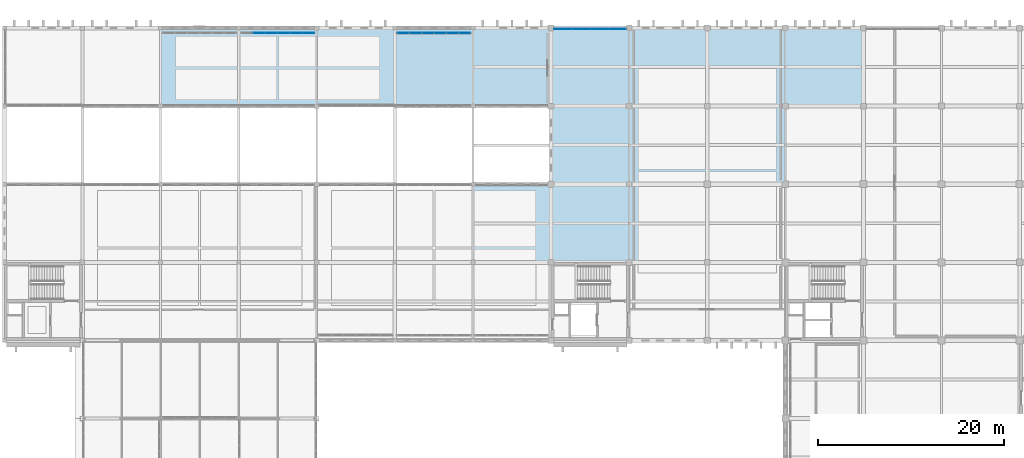
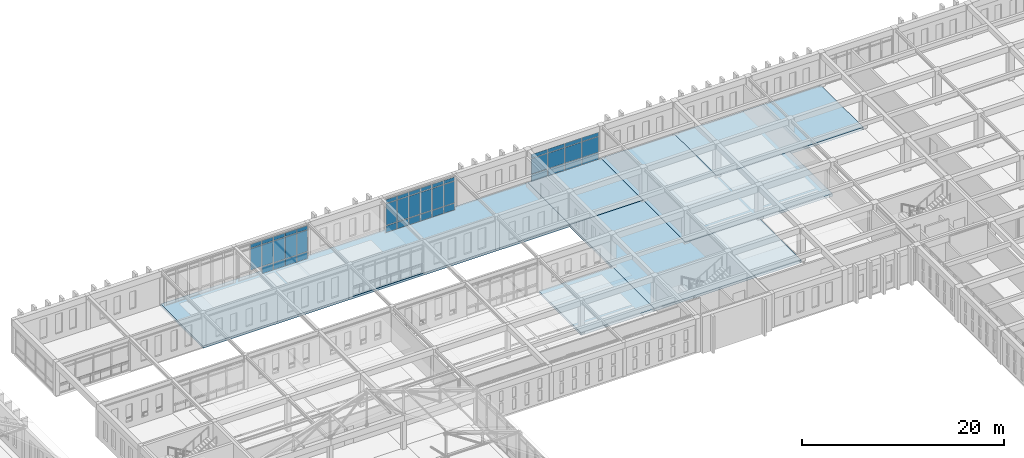
# One storey, part 127 of 192: 44 plates, 6 slabs, 3 elements without a shape of their own.
"""IFC4 building model written with IfcOpenShell, lengths in metres."""

from ifc_helpers import new_model, si_unit, direction, frame, origin, origin_2d, place, context, subcontext, project, spatial, polyline, rectangle, outline, extrude, material, layer, layer_set, type_object, element, aggregate, save


model = new_model("IFC4")

# Units and contexts
model_context = context("Model", 3, precision=1e-05, world=origin(), true_north=direction((0.0, 1.0)))
body_context = subcontext(model_context, "Body", "Model", "MODEL_VIEW")
ifc_project = project(units=[si_unit("LENGTHUNIT", "METRE"), si_unit("AREAUNIT", "SQUARE_METRE"), si_unit("VOLUMEUNIT", "CUBIC_METRE"), si_unit("PLANEANGLEUNIT", "RADIAN"), si_unit("MASSUNIT", "GRAM", prefix="KILO")], contexts=[model_context])

# Site, building, storey
site_placement = place(None, origin())
site = spatial("IfcSite", under=ifc_project, at=site_placement, CompositionType="ELEMENT")
building_placement = place(site_placement, origin())
building = spatial("IfcBuilding", under=site, at=building_placement, Name="Kveldsbrygga Polytechnic", CompositionType="ELEMENT")
storey_placement = place(building_placement, frame((0.0, 0.0, 5.43994140625)))
storey = spatial("IfcBuildingStorey", under=building, at=storey_placement, Name="L01", CompositionType="ELEMENT", Elevation=5.43994140625)

# Curtain wall, plates
ifc_material_1 = material(Name="Anodised aluminium AW-6060", Category="aluminium")
ifc_layer_1 = layer(ifc_material_1, 0.179931640625)
ifc_layer_set_1 = layer_set([ifc_layer_1], Name="Anodised aluminium AW-6060")
curtain_wall_type_1 = type_object("IfcCurtainWallType", Name="CW-CONC-A", PredefinedType="USERDEFINED", material=ifc_layer_set_1)
curtain_wall_1_placement = place(storey_placement, origin())
curtain_wall_1 = element("IfcCurtainWall", 1, at=curtain_wall_1_placement, inside=storey, type_object=curtain_wall_type_1, Name="Curtain Wall CW-L01-X-08-14", ObjectType="UNITISED CURTAIN WALL", PredefinedType="USERDEFINED")
ifc_material_2 = material(Name="Insulated triple low-E glass", Category="glass")
ifc_layer_2 = layer(ifc_material_2, 0.035888671875)
ifc_layer_set_2 = layer_set([ifc_layer_2], Name="Insulated triple low-E glass")
plate_type_1 = type_object("IfcPlateType", Name="CW-PAN-VIS36", PredefinedType="CURTAIN_PANEL", material=ifc_layer_set_2)
plate_1_placement = place(storey_placement, frame((69.4013671875, 117.050048828125, 0.93017578125), z_axis=(0.0, 0.0, 1.0), x_axis=(1.0, 0.0, 0.0)))
plate_1 = element("IfcPlate", 2, at=plate_1_placement, type_object=plate_type_1, Name="CW-01 panel 2.2", PredefinedType="CURTAIN_PANEL", context=body_context, shape_type="SweptSolid", body=[
    extrude(rectangle(XDim=1.267578125, YDim=0.035888671875, at=origin_2d()), origin(), (0.0, 0.0, 1.0), 2.610107421875),
])
plate_2_placement = place(storey_placement, frame((69.4013671875, 117.050048828125, 3.60009765625), z_axis=(0.0, 0.0, 1.0), x_axis=(1.0, 0.0, 0.0)))
plate_2 = element("IfcPlate", 3, at=plate_2_placement, type_object=plate_type_1, Name="CW-01 panel 2.3", PredefinedType="CURTAIN_PANEL", context=body_context, shape_type="SweptSolid", body=[
    extrude(rectangle(XDim=1.267578125, YDim=0.035888671875, at=origin_2d()), origin(), (0.0, 0.0, 1.0), 0.4599609375),
])
plate_3_placement = place(storey_placement, frame((70.728759765625, 117.050048828125, 0.06005859375), z_axis=(0.0, 0.0, 1.0), x_axis=(1.0, 0.0, 0.0)))
plate_3 = element("IfcPlate", 4, at=plate_3_placement, type_object=plate_type_1, Name="CW-01 panel 3.1", PredefinedType="CURTAIN_PANEL", context=body_context, shape_type="SweptSolid", body=[
    extrude(rectangle(XDim=1.267578125, YDim=0.035888671875, at=origin_2d()), origin(), (0.0, 0.0, 1.0), 0.81005859375),
])
plate_4_placement = place(storey_placement, frame((70.728759765625, 117.050048828125, 0.93017578125), z_axis=(0.0, 0.0, 1.0), x_axis=(1.0, 0.0, 0.0)))
plate_4 = element("IfcPlate", 5, at=plate_4_placement, type_object=plate_type_1, Name="CW-01 panel 3.2", PredefinedType="CURTAIN_PANEL", context=body_context, shape_type="SweptSolid", body=[
    extrude(rectangle(XDim=1.267578125, YDim=0.035888671875, at=origin_2d()), origin(), (0.0, 0.0, 1.0), 2.610107421875),
])
plate_5_placement = place(storey_placement, frame((70.728759765625, 117.050048828125, 3.60009765625), z_axis=(0.0, 0.0, 1.0), x_axis=(1.0, 0.0, 0.0)))
plate_5 = element("IfcPlate", 6, at=plate_5_placement, type_object=plate_type_1, Name="CW-01 panel 3.3", PredefinedType="CURTAIN_PANEL", context=body_context, shape_type="SweptSolid", body=[
    extrude(rectangle(XDim=1.267578125, YDim=0.035888671875, at=origin_2d()), origin(), (0.0, 0.0, 1.0), 0.4599609375),
])
plate_6_placement = place(storey_placement, frame((72.05615234375, 117.050048828125, 0.06005859375), z_axis=(0.0, 0.0, 1.0), x_axis=(1.0, 0.0, 0.0)))
plate_6 = element("IfcPlate", 7, at=plate_6_placement, type_object=plate_type_1, Name="CW-01 panel 4.1", PredefinedType="CURTAIN_PANEL", context=body_context, shape_type="SweptSolid", body=[
    extrude(rectangle(XDim=1.267578125, YDim=0.035888671875, at=origin_2d()), origin(), (0.0, 0.0, 1.0), 0.81005859375),
])
plate_7_placement = place(storey_placement, frame((72.05615234375, 117.050048828125, 0.93017578125), z_axis=(0.0, 0.0, 1.0), x_axis=(1.0, 0.0, 0.0)))
plate_7 = element("IfcPlate", 8, at=plate_7_placement, type_object=plate_type_1, Name="CW-01 panel 4.2", PredefinedType="CURTAIN_PANEL", context=body_context, shape_type="SweptSolid", body=[
    extrude(rectangle(XDim=1.267578125, YDim=0.035888671875, at=origin_2d()), origin(), (0.0, 0.0, 1.0), 2.610107421875),
])
plate_8_placement = place(storey_placement, frame((72.05615234375, 117.050048828125, 3.60009765625), z_axis=(0.0, 0.0, 1.0), x_axis=(1.0, 0.0, 0.0)))
plate_8 = element("IfcPlate", 9, at=plate_8_placement, type_object=plate_type_1, Name="CW-01 panel 4.3", PredefinedType="CURTAIN_PANEL", context=body_context, shape_type="SweptSolid", body=[
    extrude(rectangle(XDim=1.267578125, YDim=0.035888671875, at=origin_2d()), origin(), (0.0, 0.0, 1.0), 0.4599609375),
])
plate_9_placement = place(storey_placement, frame((73.3837890625, 117.050048828125, 0.06005859375), z_axis=(0.0, 0.0, 1.0), x_axis=(1.0, 0.0, 0.0)))
plate_9 = element("IfcPlate", 10, at=plate_9_placement, type_object=plate_type_1, Name="CW-01 panel 5.1", PredefinedType="CURTAIN_PANEL", context=body_context, shape_type="SweptSolid", body=[
    extrude(rectangle(XDim=1.267578125, YDim=0.035888671875, at=origin_2d()), origin(), (0.0, 0.0, 1.0), 0.81005859375),
])
plate_10_placement = place(storey_placement, frame((73.3837890625, 117.050048828125, 0.93017578125), z_axis=(0.0, 0.0, 1.0), x_axis=(1.0, 0.0, 0.0)))
plate_10 = element("IfcPlate", 11, at=plate_10_placement, type_object=plate_type_1, Name="CW-01 panel 5.2", PredefinedType="CURTAIN_PANEL", context=body_context, shape_type="SweptSolid", body=[
    extrude(rectangle(XDim=1.267578125, YDim=0.035888671875, at=origin_2d()), origin(), (0.0, 0.0, 1.0), 2.610107421875),
])
plate_11_placement = place(storey_placement, frame((73.3837890625, 117.050048828125, 3.60009765625), z_axis=(0.0, 0.0, 1.0), x_axis=(1.0, 0.0, 0.0)))
plate_11 = element("IfcPlate", 12, at=plate_11_placement, type_object=plate_type_1, Name="CW-01 panel 5.3", PredefinedType="CURTAIN_PANEL", context=body_context, shape_type="SweptSolid", body=[
    extrude(rectangle(XDim=1.267578125, YDim=0.035888671875, at=origin_2d()), origin(), (0.0, 0.0, 1.0), 0.4599609375),
])
plate_12_placement = place(storey_placement, frame((74.6962890625, 117.050048828125, 0.06005859375), z_axis=(0.0, 0.0, 1.0), x_axis=(1.0, 0.0, 0.0)))
plate_12 = element("IfcPlate", 13, at=plate_12_placement, type_object=plate_type_1, Name="CW-01 panel 6.1", PredefinedType="CURTAIN_PANEL", context=body_context, shape_type="SweptSolid", body=[
    extrude(rectangle(XDim=1.237548828125, YDim=0.035888671875, at=origin_2d()), origin(), (0.0, 0.0, 1.0), 0.81005859375),
])
plate_13_placement = place(storey_placement, frame((74.6962890625, 117.050048828125, 0.93017578125), z_axis=(0.0, 0.0, 1.0), x_axis=(1.0, 0.0, 0.0)))
plate_13 = element("IfcPlate", 14, at=plate_13_placement, type_object=plate_type_1, Name="CW-01 panel 6.2", PredefinedType="CURTAIN_PANEL", context=body_context, shape_type="SweptSolid", body=[
    extrude(rectangle(XDim=1.237548828125, YDim=0.035888671875, at=origin_2d()), origin(), (0.0, 0.0, 1.0), 2.610107421875),
])
plate_14_placement = place(storey_placement, frame((74.6962890625, 117.050048828125, 3.60009765625), z_axis=(0.0, 0.0, 1.0), x_axis=(1.0, 0.0, 0.0)))
plate_14 = element("IfcPlate", 15, at=plate_14_placement, type_object=plate_type_1, Name="CW-01 panel 6.3", PredefinedType="CURTAIN_PANEL", context=body_context, shape_type="SweptSolid", body=[
    extrude(rectangle(XDim=1.237548828125, YDim=0.035888671875, at=origin_2d()), origin(), (0.0, 0.0, 1.0), 0.4599609375),
])
aggregate(curtain_wall_1, [plate_1, plate_2, plate_3, plate_4, plate_5, plate_6, plate_7, plate_8, plate_9, plate_10, plate_11, plate_12, plate_13, plate_14])

ifc_layer_3 = layer(ifc_material_1, 0.199951171875)
ifc_layer_set_3 = layer_set([ifc_layer_3], Name="Anodised aluminium AW-6060")
curtain_wall_type_2 = type_object("IfcCurtainWallType", Name="CW-LANC-E", PredefinedType="USERDEFINED", material=ifc_layer_set_3)
curtain_wall_2_placement = place(storey_placement, origin())
curtain_wall_2 = element("IfcCurtainWall", 16, at=curtain_wall_2_placement, inside=storey, type_object=curtain_wall_type_2, Name="Curtain Wall CW-L01-X-12-14", ObjectType="UNITISED CURTAIN WALL", PredefinedType="USERDEFINED")
ifc_layer_4 = layer(ifc_material_2, 0.0419921875)
ifc_layer_set_4 = layer_set([ifc_layer_4], Name="Insulated triple low-E glass")
plate_type_2 = type_object("IfcPlateType", Name="CW-PAN-VIS42", PredefinedType="CURTAIN_PANEL", material=ifc_layer_set_4)
plate_15_placement = place(storey_placement, frame((102.099365234375, 117.5, 0.06005859375), z_axis=(0.0, 0.0, 1.0), x_axis=(1.0, 0.0, 0.0)))
plate_15 = element("IfcPlate", 17, at=plate_15_placement, type_object=plate_type_2, Name="CW-05 panel 1.1", PredefinedType="CURTAIN_PANEL", context=body_context, shape_type="SweptSolid", body=[
    extrude(rectangle(XDim=1.858642578125, YDim=0.0419921875, at=origin_2d()), origin(), (0.0, 0.0, 1.0), 0.81005859375),
])
plate_16_placement = place(storey_placement, frame((102.099365234375, 117.5, 0.929931640625), z_axis=(0.0, 0.0, 1.0), x_axis=(1.0, 0.0, 0.0)))
plate_16 = element("IfcPlate", 18, at=plate_16_placement, type_object=plate_type_2, Name="CW-05 panel 1.2", PredefinedType="CURTAIN_PANEL", context=body_context, shape_type="SweptSolid", body=[
    extrude(rectangle(XDim=1.858642578125, YDim=0.0419921875, at=origin_2d()), origin(), (0.0, 0.0, 1.0), 1.8701171875),
])
plate_17_placement = place(storey_placement, frame((102.099365234375, 117.5, 2.860107421875), z_axis=(0.0, 0.0, 1.0), x_axis=(1.0, 0.0, 0.0)))
plate_17 = element("IfcPlate", 19, at=plate_17_placement, type_object=plate_type_2, Name="CW-05 panel 1.3", PredefinedType="CURTAIN_PANEL", context=body_context, shape_type="SweptSolid", body=[
    extrude(rectangle(XDim=1.858642578125, YDim=0.0419921875, at=origin_2d()), origin(), (0.0, 0.0, 1.0), 0.4599609375),
])
plate_18_placement = place(storey_placement, frame((104.033203125, 117.5, 0.06005859375), z_axis=(0.0, 0.0, 1.0), x_axis=(1.0, 0.0, 0.0)))
plate_18 = element("IfcPlate", 20, at=plate_18_placement, type_object=plate_type_2, Name="CW-05 panel 2.1", PredefinedType="CURTAIN_PANEL", context=body_context, shape_type="SweptSolid", body=[
    extrude(rectangle(XDim=1.888671875, YDim=0.0419921875, at=origin_2d()), origin(), (0.0, 0.0, 1.0), 0.81005859375),
])
plate_19_placement = place(storey_placement, frame((104.033203125, 117.5, 0.929931640625), z_axis=(0.0, 0.0, 1.0), x_axis=(1.0, 0.0, 0.0)))
plate_19 = element("IfcPlate", 21, at=plate_19_placement, type_object=plate_type_2, Name="CW-05 panel 2.2", PredefinedType="CURTAIN_PANEL", context=body_context, shape_type="SweptSolid", body=[
    extrude(rectangle(XDim=1.888671875, YDim=0.0419921875, at=origin_2d()), origin(), (0.0, 0.0, 1.0), 1.8701171875),
])
plate_20_placement = place(storey_placement, frame((104.033203125, 117.5, 2.860107421875), z_axis=(0.0, 0.0, 1.0), x_axis=(1.0, 0.0, 0.0)))
plate_20 = element("IfcPlate", 22, at=plate_20_placement, type_object=plate_type_2, Name="CW-05 panel 2.3", PredefinedType="CURTAIN_PANEL", context=body_context, shape_type="SweptSolid", body=[
    extrude(rectangle(XDim=1.888671875, YDim=0.0419921875, at=origin_2d()), origin(), (0.0, 0.0, 1.0), 0.4599609375),
])
plate_21_placement = place(storey_placement, frame((105.98193359375, 117.5, 0.06005859375), z_axis=(0.0, 0.0, 1.0), x_axis=(1.0, 0.0, 0.0)))
plate_21 = element("IfcPlate", 23, at=plate_21_placement, type_object=plate_type_2, Name="CW-05 panel 3.1", PredefinedType="CURTAIN_PANEL", context=body_context, shape_type="SweptSolid", body=[
    extrude(rectangle(XDim=1.888671875, YDim=0.0419921875, at=origin_2d()), origin(), (0.0, 0.0, 1.0), 0.81005859375),
])
plate_22_placement = place(storey_placement, frame((105.98193359375, 117.5, 0.929931640625), z_axis=(0.0, 0.0, 1.0), x_axis=(1.0, 0.0, 0.0)))
plate_22 = element("IfcPlate", 24, at=plate_22_placement, type_object=plate_type_2, Name="CW-05 panel 3.2", PredefinedType="CURTAIN_PANEL", context=body_context, shape_type="SweptSolid", body=[
    extrude(rectangle(XDim=1.888671875, YDim=0.0419921875, at=origin_2d()), origin(), (0.0, 0.0, 1.0), 1.8701171875),
])
plate_23_placement = place(storey_placement, frame((105.98193359375, 117.5, 2.860107421875), z_axis=(0.0, 0.0, 1.0), x_axis=(1.0, 0.0, 0.0)))
plate_23 = element("IfcPlate", 25, at=plate_23_placement, type_object=plate_type_2, Name="CW-05 panel 3.3", PredefinedType="CURTAIN_PANEL", context=body_context, shape_type="SweptSolid", body=[
    extrude(rectangle(XDim=1.888671875, YDim=0.0419921875, at=origin_2d()), origin(), (0.0, 0.0, 1.0), 0.4599609375),
])
plate_24_placement = place(storey_placement, frame((107.91552734375, 117.5, 0.06005859375), z_axis=(0.0, 0.0, 1.0), x_axis=(1.0, 0.0, 0.0)))
plate_24 = element("IfcPlate", 26, at=plate_24_placement, type_object=plate_type_2, Name="CW-05 panel 4.1", PredefinedType="CURTAIN_PANEL", context=body_context, shape_type="SweptSolid", body=[
    extrude(rectangle(XDim=1.858642578125, YDim=0.0419921875, at=origin_2d()), origin(), (0.0, 0.0, 1.0), 0.81005859375),
])
plate_25_placement = place(storey_placement, frame((107.91552734375, 117.5, 0.929931640625), z_axis=(0.0, 0.0, 1.0), x_axis=(1.0, 0.0, 0.0)))
plate_25 = element("IfcPlate", 27, at=plate_25_placement, type_object=plate_type_2, Name="CW-05 panel 4.2", PredefinedType="CURTAIN_PANEL", context=body_context, shape_type="SweptSolid", body=[
    extrude(rectangle(XDim=1.858642578125, YDim=0.0419921875, at=origin_2d()), origin(), (0.0, 0.0, 1.0), 1.8701171875),
])
plate_26_placement = place(storey_placement, frame((107.91552734375, 117.5, 2.860107421875), z_axis=(0.0, 0.0, 1.0), x_axis=(1.0, 0.0, 0.0)))
plate_26 = element("IfcPlate", 28, at=plate_26_placement, type_object=plate_type_2, Name="CW-05 panel 4.3", PredefinedType="CURTAIN_PANEL", context=body_context, shape_type="SweptSolid", body=[
    extrude(rectangle(XDim=1.858642578125, YDim=0.0419921875, at=origin_2d()), origin(), (0.0, 0.0, 1.0), 0.4599609375),
])
aggregate(curtain_wall_2, [plate_15, plate_16, plate_17, plate_18, plate_19, plate_20, plate_21, plate_22, plate_23, plate_24, plate_25, plate_26])

ifc_layer_5 = layer(ifc_material_1, 0.159912109375)
ifc_layer_set_5 = layer_set([ifc_layer_5], Name="Anodised aluminium AW-6060")
curtain_wall_type_3 = type_object("IfcCurtainWallType", Name="CW-CLER-C", PredefinedType="USERDEFINED", material=ifc_layer_set_5)
curtain_wall_3_placement = place(storey_placement, origin())
curtain_wall_3 = element("IfcCurtainWall", 29, at=curtain_wall_3_placement, inside=storey, type_object=curtain_wall_type_3, Name="Curtain Wall CW-L01-X-10-14", ObjectType="STICK CURTAIN WALL", PredefinedType="USERDEFINED")
ifc_layer_6 = layer(ifc_material_2, 0.048095703125)
ifc_layer_set_6 = layer_set([ifc_layer_6], Name="Insulated triple low-E glass")
plate_type_3 = type_object("IfcPlateType", Name="CW-PAN-VIS48", PredefinedType="CURTAIN_PANEL", material=ifc_layer_set_6)
plate_27_placement = place(storey_placement, frame((84.89501953125, 117.050048828125, 0.074951171875), z_axis=(0.0, 0.0, 1.0), x_axis=(1.0, 0.0, 0.0)))
plate_27 = element("IfcPlate", 30, at=plate_27_placement, type_object=plate_type_3, Name="CW-03 panel 1.1", PredefinedType="CURTAIN_PANEL", context=body_context, shape_type="SweptSolid", body=[
    extrude(rectangle(XDim=1.219970703125, YDim=0.048095703125, at=origin_2d()), origin(), (0.0, 0.0, 1.0), 0.78759765625),
])
plate_28_placement = place(storey_placement, frame((84.89501953125, 117.050048828125, 0.9375), z_axis=(0.0, 0.0, 1.0), x_axis=(1.0, 0.0, 0.0)))
plate_28 = element("IfcPlate", 31, at=plate_28_placement, type_object=plate_type_3, Name="CW-03 panel 1.2", PredefinedType="CURTAIN_PANEL", context=body_context, shape_type="SweptSolid", body=[
    extrude(rectangle(XDim=1.219970703125, YDim=0.048095703125, at=origin_2d()), origin(), (0.0, 0.0, 1.0), 2.594970703125),
])
plate_29_placement = place(storey_placement, frame((84.89501953125, 117.050048828125, 3.607666015625), z_axis=(0.0, 0.0, 1.0), x_axis=(1.0, 0.0, 0.0)))
plate_29 = element("IfcPlate", 32, at=plate_29_placement, type_object=plate_type_3, Name="CW-03 panel 1.3", PredefinedType="CURTAIN_PANEL", context=body_context, shape_type="SweptSolid", body=[
    extrude(rectangle(XDim=1.219970703125, YDim=0.048095703125, at=origin_2d()), origin(), (0.0, 0.0, 1.0), 0.4375),
])
plate_30_placement = place(storey_placement, frame((86.208740234375, 117.050048828125, 0.074951171875), z_axis=(0.0, 0.0, 1.0), x_axis=(1.0, 0.0, 0.0)))
plate_30 = element("IfcPlate", 33, at=plate_30_placement, type_object=plate_type_3, Name="CW-03 panel 2.1", PredefinedType="CURTAIN_PANEL", context=body_context, shape_type="SweptSolid", body=[
    extrude(rectangle(XDim=1.257568359375, YDim=0.048095703125, at=origin_2d()), origin(), (0.0, 0.0, 1.0), 0.78759765625),
])
plate_31_placement = place(storey_placement, frame((86.208740234375, 117.050048828125, 0.9375), z_axis=(0.0, 0.0, 1.0), x_axis=(1.0, 0.0, 0.0)))
plate_31 = element("IfcPlate", 34, at=plate_31_placement, type_object=plate_type_3, Name="CW-03 panel 2.2", PredefinedType="CURTAIN_PANEL", context=body_context, shape_type="SweptSolid", body=[
    extrude(rectangle(XDim=1.257568359375, YDim=0.048095703125, at=origin_2d()), origin(), (0.0, 0.0, 1.0), 2.594970703125),
])
plate_32_placement = place(storey_placement, frame((86.208740234375, 117.050048828125, 3.607666015625), z_axis=(0.0, 0.0, 1.0), x_axis=(1.0, 0.0, 0.0)))
plate_32 = element("IfcPlate", 35, at=plate_32_placement, type_object=plate_type_3, Name="CW-03 panel 2.3", PredefinedType="CURTAIN_PANEL", context=body_context, shape_type="SweptSolid", body=[
    extrude(rectangle(XDim=1.257568359375, YDim=0.048095703125, at=origin_2d()), origin(), (0.0, 0.0, 1.0), 0.4375),
])
plate_33_placement = place(storey_placement, frame((87.541259765625, 117.050048828125, 0.074951171875), z_axis=(0.0, 0.0, 1.0), x_axis=(1.0, 0.0, 0.0)))
plate_33 = element("IfcPlate", 36, at=plate_33_placement, type_object=plate_type_3, Name="CW-03 panel 3.1", PredefinedType="CURTAIN_PANEL", context=body_context, shape_type="SweptSolid", body=[
    extrude(rectangle(XDim=1.257568359375, YDim=0.048095703125, at=origin_2d()), origin(), (0.0, 0.0, 1.0), 0.78759765625),
])
plate_34_placement = place(storey_placement, frame((87.541259765625, 117.050048828125, 0.9375), z_axis=(0.0, 0.0, 1.0), x_axis=(1.0, 0.0, 0.0)))
plate_34 = element("IfcPlate", 37, at=plate_34_placement, type_object=plate_type_3, Name="CW-03 panel 3.2", PredefinedType="CURTAIN_PANEL", context=body_context, shape_type="SweptSolid", body=[
    extrude(rectangle(XDim=1.257568359375, YDim=0.048095703125, at=origin_2d()), origin(), (0.0, 0.0, 1.0), 2.594970703125),
])
plate_35_placement = place(storey_placement, frame((87.541259765625, 117.050048828125, 3.607666015625), z_axis=(0.0, 0.0, 1.0), x_axis=(1.0, 0.0, 0.0)))
plate_35 = element("IfcPlate", 38, at=plate_35_placement, type_object=plate_type_3, Name="CW-03 panel 3.3", PredefinedType="CURTAIN_PANEL", context=body_context, shape_type="SweptSolid", body=[
    extrude(rectangle(XDim=1.257568359375, YDim=0.048095703125, at=origin_2d()), origin(), (0.0, 0.0, 1.0), 0.4375),
])
plate_36_placement = place(storey_placement, frame((88.873779296875, 117.050048828125, 0.074951171875), z_axis=(0.0, 0.0, 1.0), x_axis=(1.0, 0.0, 0.0)))
plate_36 = element("IfcPlate", 39, at=plate_36_placement, type_object=plate_type_3, Name="CW-03 panel 4.1", PredefinedType="CURTAIN_PANEL", context=body_context, shape_type="SweptSolid", body=[
    extrude(rectangle(XDim=1.257568359375, YDim=0.048095703125, at=origin_2d()), origin(), (0.0, 0.0, 1.0), 0.78759765625),
])
plate_37_placement = place(storey_placement, frame((88.873779296875, 117.050048828125, 0.9375), z_axis=(0.0, 0.0, 1.0), x_axis=(1.0, 0.0, 0.0)))
plate_37 = element("IfcPlate", 40, at=plate_37_placement, type_object=plate_type_3, Name="CW-03 panel 4.2", PredefinedType="CURTAIN_PANEL", context=body_context, shape_type="SweptSolid", body=[
    extrude(rectangle(XDim=1.257568359375, YDim=0.048095703125, at=origin_2d()), origin(), (0.0, 0.0, 1.0), 2.594970703125),
])
plate_38_placement = place(storey_placement, frame((88.873779296875, 117.050048828125, 3.607666015625), z_axis=(0.0, 0.0, 1.0), x_axis=(1.0, 0.0, 0.0)))
plate_38 = element("IfcPlate", 41, at=plate_38_placement, type_object=plate_type_3, Name="CW-03 panel 4.3", PredefinedType="CURTAIN_PANEL", context=body_context, shape_type="SweptSolid", body=[
    extrude(rectangle(XDim=1.257568359375, YDim=0.048095703125, at=origin_2d()), origin(), (0.0, 0.0, 1.0), 0.4375),
])
plate_39_placement = place(storey_placement, frame((90.206298828125, 117.050048828125, 0.074951171875), z_axis=(0.0, 0.0, 1.0), x_axis=(1.0, 0.0, 0.0)))
plate_39 = element("IfcPlate", 42, at=plate_39_placement, type_object=plate_type_3, Name="CW-03 panel 5.1", PredefinedType="CURTAIN_PANEL", context=body_context, shape_type="SweptSolid", body=[
    extrude(rectangle(XDim=1.257568359375, YDim=0.048095703125, at=origin_2d()), origin(), (0.0, 0.0, 1.0), 0.78759765625),
])
plate_40_placement = place(storey_placement, frame((90.206298828125, 117.050048828125, 0.9375), z_axis=(0.0, 0.0, 1.0), x_axis=(1.0, 0.0, 0.0)))
plate_40 = element("IfcPlate", 43, at=plate_40_placement, type_object=plate_type_3, Name="CW-03 panel 5.2", PredefinedType="CURTAIN_PANEL", context=body_context, shape_type="SweptSolid", body=[
    extrude(rectangle(XDim=1.257568359375, YDim=0.048095703125, at=origin_2d()), origin(), (0.0, 0.0, 1.0), 2.594970703125),
])
plate_41_placement = place(storey_placement, frame((90.206298828125, 117.050048828125, 3.607666015625), z_axis=(0.0, 0.0, 1.0), x_axis=(1.0, 0.0, 0.0)))
plate_41 = element("IfcPlate", 44, at=plate_41_placement, type_object=plate_type_3, Name="CW-03 panel 5.3", PredefinedType="CURTAIN_PANEL", context=body_context, shape_type="SweptSolid", body=[
    extrude(rectangle(XDim=1.257568359375, YDim=0.048095703125, at=origin_2d()), origin(), (0.0, 0.0, 1.0), 0.4375),
])
plate_42_placement = place(storey_placement, frame((91.52001953125, 117.050048828125, 0.074951171875), z_axis=(0.0, 0.0, 1.0), x_axis=(1.0, 0.0, 0.0)))
plate_42 = element("IfcPlate", 45, at=plate_42_placement, type_object=plate_type_3, Name="CW-03 panel 6.1", PredefinedType="CURTAIN_PANEL", context=body_context, shape_type="SweptSolid", body=[
    extrude(rectangle(XDim=1.219970703125, YDim=0.048095703125, at=origin_2d()), origin(), (0.0, 0.0, 1.0), 0.78759765625),
])
plate_43_placement = place(storey_placement, frame((91.52001953125, 117.050048828125, 0.9375), z_axis=(0.0, 0.0, 1.0), x_axis=(1.0, 0.0, 0.0)))
plate_43 = element("IfcPlate", 46, at=plate_43_placement, type_object=plate_type_3, Name="CW-03 panel 6.2", PredefinedType="CURTAIN_PANEL", context=body_context, shape_type="SweptSolid", body=[
    extrude(rectangle(XDim=1.219970703125, YDim=0.048095703125, at=origin_2d()), origin(), (0.0, 0.0, 1.0), 2.594970703125),
])
plate_44_placement = place(storey_placement, frame((91.52001953125, 117.050048828125, 3.607666015625), z_axis=(0.0, 0.0, 1.0), x_axis=(1.0, 0.0, 0.0)))
plate_44 = element("IfcPlate", 47, at=plate_44_placement, type_object=plate_type_3, Name="CW-03 panel 6.3", PredefinedType="CURTAIN_PANEL", context=body_context, shape_type="SweptSolid", body=[
    extrude(rectangle(XDim=1.219970703125, YDim=0.048095703125, at=origin_2d()), origin(), (0.0, 0.0, 1.0), 0.4375),
])
aggregate(curtain_wall_3, [plate_27, plate_28, plate_29, plate_30, plate_31, plate_32, plate_33, plate_34, plate_35, plate_36, plate_37, plate_38, plate_39, plate_40, plate_41, plate_42, plate_43, plate_44])

# Slabs
ifc_material_3 = material(Name="Concrete C35/45", Category="concrete")
ifc_layer_7 = layer(ifc_material_3, 0.300048828125)
ifc_layer_set_7 = layer_set([ifc_layer_7], Name="Concrete C35/45")
slab_type_1 = type_object("IfcSlabType", Name="SLB-LAB-300", PredefinedType="FLOOR", material=ifc_layer_set_7)
slab_1_placement = place(storey_placement, frame((0.0, 0.0, -0.300048828125)))
element("IfcSlab", 48, at=slab_1_placement, inside=storey, type_object=slab_type_1, Name="Slab SLB-L01-V4-L01-1", PredefinedType="FLOOR", context=body_context, shape_type="SweptSolid", body=[
    extrude(outline(polyline([(100.800048828125, 92.39990234375), (100.800048828125, 100.800048828125), (100.800048828125, 109.199951171875), (109.199951171875, 109.199951171875), (109.199951171875, 100.800048828125), (117.60009765625, 100.800048828125), (117.60009765625, 92.39990234375), (109.199951171875, 92.39990234375), (100.800048828125, 92.39990234375)])), origin(), (0.0, 0.0, 1.0), 0.300048828125),
])
slab_2_placement = place(storey_placement, frame((0.0, 0.0, -0.300048828125)))
element("IfcSlab", 49, at=slab_2_placement, inside=storey, type_object=slab_type_1, Name="Slab SLB-L01-V4-L02-1", PredefinedType="FLOOR", context=body_context, shape_type="SweptSolid", body=[
    extrude(outline(polyline([(109.199951171875, 100.800048828125), (109.199951171875, 109.199951171875), (109.199951171875, 117.60009765625), (117.60009765625, 117.60009765625), (117.60009765625, 109.199951171875), (126.0, 109.199951171875), (126.0, 100.800048828125), (117.60009765625, 100.800048828125), (109.199951171875, 100.800048828125)])), origin(), (0.0, 0.0, 1.0), 0.300048828125),
])
slab_3_placement = place(storey_placement, frame((0.0, 0.0, -0.300048828125)))
element("IfcSlab", 50, at=slab_3_placement, inside=storey, type_object=slab_type_1, Name="Slab SLB-L01-V4-Z8-2", PredefinedType="FLOOR", context=body_context, shape_type="SweptSolid", body=[
    extrude(outline(polyline([(100.800048828125, 117.60009765625), (109.199951171875, 117.60009765625), (109.199951171875, 109.199951171875), (100.800048828125, 109.199951171875), (100.800048828125, 117.60009765625)])), origin(), (0.0, 0.0, 1.0), 0.300048828125),
])
slab_4_placement = place(storey_placement, frame((0.0, 0.0, -0.300048828125)))
element("IfcSlab", 51, at=slab_4_placement, inside=storey, type_object=slab_type_1, Name="Slab SLB-L01-V4-Z9-4", PredefinedType="FLOOR", context=body_context, shape_type="SweptSolid", body=[
    extrude(outline(polyline([(126.0, 117.60009765625), (134.39990234375, 117.60009765625), (134.39990234375, 109.199951171875), (126.0, 109.199951171875), (117.60009765625, 109.199951171875), (117.60009765625, 117.60009765625), (126.0, 117.60009765625)])), origin(), (0.0, 0.0, 1.0), 0.300048828125),
])
ifc_layer_8 = layer(ifc_material_3, 0.280029296875)
ifc_layer_set_8 = layer_set([ifc_layer_8], Name="Concrete C35/45")
slab_type_2 = type_object("IfcSlabType", Name="SLB-STD-280", PredefinedType="FLOOR", material=ifc_layer_set_8)
slab_5_placement = place(storey_placement, frame((0.0, 0.0, -0.280029296875)))
element("IfcSlab", 52, at=slab_5_placement, inside=storey, type_object=slab_type_2, Name="Slab SLB-L01-V2-Z8-3", PredefinedType="FLOOR", context=body_context, shape_type="SweptSolid", body=[
    extrude(outline(polyline([(100.800048828125, 100.800048828125), (100.800048828125, 92.39990234375), (92.39990234375, 92.39990234375), (92.39990234375, 100.800048828125), (100.800048828125, 100.800048828125)])), origin(), (0.0, 0.0, 1.0), 0.280029296875),
])
slab_6_placement = place(storey_placement, frame((0.0, 0.0, -0.280029296875)))
element("IfcSlab", 53, at=slab_6_placement, inside=storey, type_object=slab_type_2, Name="Slab SLB-L01-V2-Z8-4", PredefinedType="FLOOR", context=body_context, shape_type="SweptSolid", body=[
    extrude(outline(polyline([(67.199951171875, 117.60009765625), (75.60009765625, 117.60009765625), (84.0, 117.60009765625), (92.39990234375, 117.60009765625), (100.800048828125, 117.60009765625), (100.800048828125, 109.199951171875), (92.39990234375, 109.199951171875), (84.0, 109.199951171875), (75.60009765625, 109.199951171875), (67.199951171875, 109.199951171875), (58.800048828125, 109.199951171875), (58.800048828125, 117.60009765625), (67.199951171875, 117.60009765625)])), origin(), (0.0, 0.0, 1.0), 0.280029296875),
])

save(model, "model.ifc")
